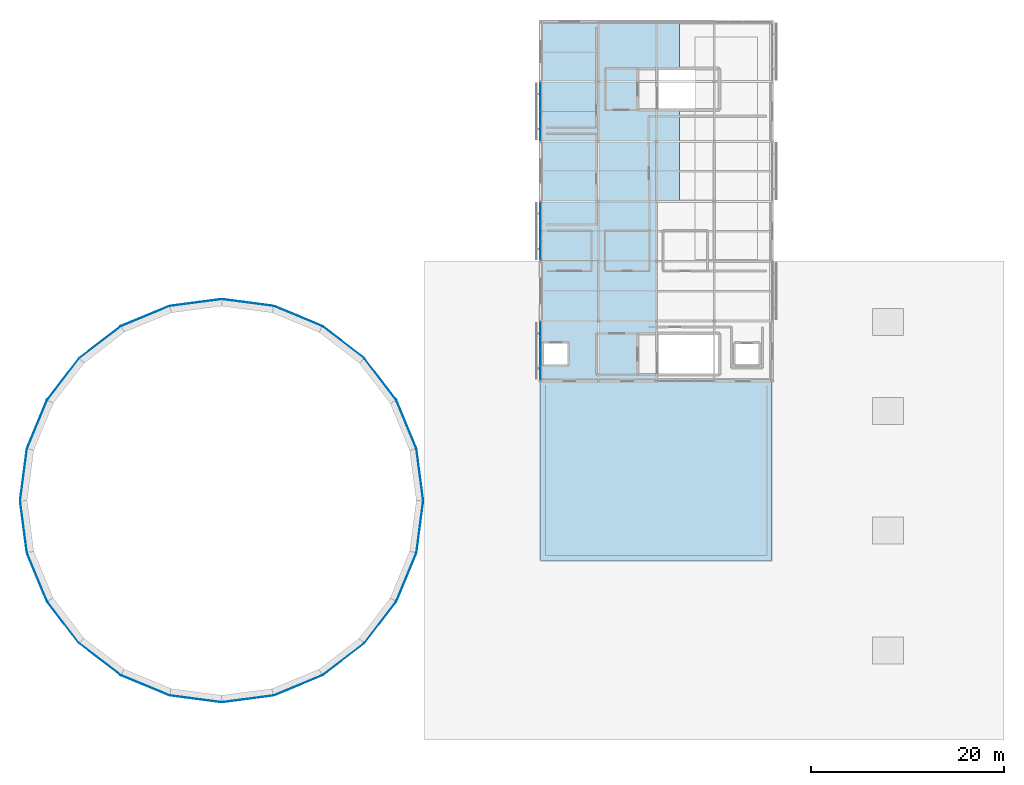
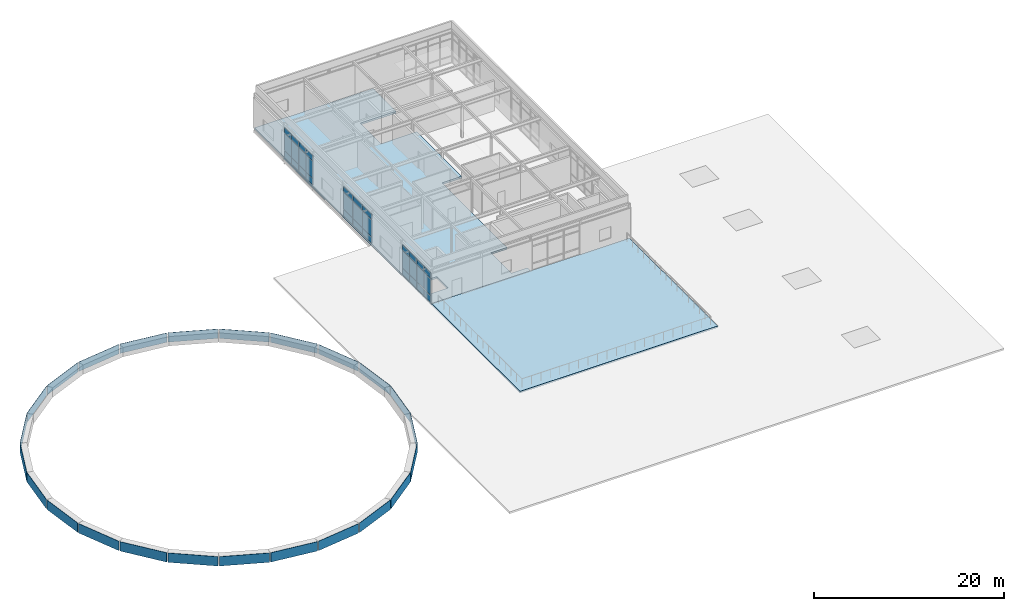
# One storey, part 11 of 16: 57 plates, 2 slabs, 3 elements without a shape of their own.
"""IFC4 building model written with IfcOpenShell, lengths in metres."""

from ifc_helpers import new_model, si_unit, direction, frame, origin, origin_2d, place, context, subcontext, project, spatial, polyline, rectangle, outline, extrude, material, layer, layer_set, type_object, element, aggregate, save


model = new_model("IFC4")

# Units and contexts
model_context = context("Model", 3, precision=1e-05, world=origin(), true_north=direction((0.0, 1.0)))
body_context = subcontext(model_context, "Body", "Model", "MODEL_VIEW")
ifc_project = project(units=[si_unit("LENGTHUNIT", "METRE"), si_unit("AREAUNIT", "SQUARE_METRE"), si_unit("VOLUMEUNIT", "CUBIC_METRE"), si_unit("PLANEANGLEUNIT", "RADIAN"), si_unit("MASSUNIT", "GRAM", prefix="KILO")], contexts=[model_context])

# Site, building, storey
site_placement = place(None, origin())
site = spatial("IfcSite", under=ifc_project, at=site_placement, CompositionType="ELEMENT")
building_placement = place(site_placement, origin())
building = spatial("IfcBuilding", under=site, at=building_placement, Name="Mirzam Square Science Centre", CompositionType="ELEMENT")
storey_placement = place(building_placement, frame((0.0, 0.0, 25.199951171875)))
storey = spatial("IfcBuildingStorey", under=building, at=storey_placement, Name="L05", CompositionType="ELEMENT", Elevation=25.199951171875)

# Curtain wall, plates
ifc_material_1 = material(Name="Anodised Aluminium and Low-E Solar Glass", Category="aluminium")
ifc_layer_1 = layer(ifc_material_1, 0.159912109375)
ifc_layer_set_1 = layer_set([ifc_layer_1], Name="CW-COURT-B")
curtain_wall_type_1 = type_object("IfcCurtainWallType", Name="CW-COURT-B", PredefinedType="USERDEFINED", material=ifc_layer_set_1)
curtain_wall_1_placement = place(storey_placement, origin())
curtain_wall_1 = element("IfcCurtainWall", 1, at=curtain_wall_1_placement, inside=storey, type_object=curtain_wall_type_1, Name="L05 unitised curtain wall 171", ObjectType="UNITISED CURTAIN WALL", PredefinedType="USERDEFINED")
ifc_material_2 = material(Name="Ceramic-Fritted Courtyard Solar Glass", Category="glass")
ifc_layer_2 = layer(ifc_material_2, 0.02392578125)
ifc_layer_set_2 = layer_set([ifc_layer_2], Name="CWP-GLZ-24")
plate_type_1 = type_object("IfcPlateType", Name="CWP-GLZ-24", PredefinedType="CURTAIN_PANEL", material=ifc_layer_set_2)
plate_1_placement = place(storey_placement, frame((114.0, 104.56884765625, 0.06005859375), z_axis=(0.0, 0.0, 1.0), x_axis=(0.0, -1.0, 0.0)))
plate_1 = element("IfcPlate", 2, at=plate_1_placement, type_object=plate_type_1, Name="CW-04 panel 1.1", PredefinedType="CURTAIN_PANEL", context=body_context, shape_type="SweptSolid", body=[
    extrude(rectangle(XDim=1.4326171875, YDim=0.02392578125, at=origin_2d()), origin(), (0.0, 0.0, 1.0), 0.81005859375),
])
plate_2_placement = place(storey_placement, frame((114.0, 104.56884765625, 0.93017578125), z_axis=(0.0, 0.0, 1.0), x_axis=(0.0, -1.0, 0.0)))
plate_2 = element("IfcPlate", 3, at=plate_2_placement, type_object=plate_type_1, Name="CW-04 panel 1.2", PredefinedType="CURTAIN_PANEL", context=body_context, shape_type="SweptSolid", body=[
    extrude(rectangle(XDim=1.4326171875, YDim=0.02392578125, at=origin_2d()), origin(), (0.0, 0.0, 1.0), 2.159912109375),
])
plate_3_placement = place(storey_placement, frame((114.0, 104.56884765625, 3.150146484375), z_axis=(0.0, 0.0, 1.0), x_axis=(0.0, -1.0, 0.0)))
plate_3 = element("IfcPlate", 4, at=plate_3_placement, type_object=plate_type_1, Name="CW-04 panel 1.3", PredefinedType="CURTAIN_PANEL", context=body_context, shape_type="SweptSolid", body=[
    extrude(rectangle(XDim=1.4326171875, YDim=0.02392578125, at=origin_2d()), origin(), (0.0, 0.0, 1.0), 0.7099609375),
])
plate_4_placement = place(storey_placement, frame((114.0, 103.061279296875, 0.06005859375), z_axis=(0.0, 0.0, 1.0), x_axis=(0.0, -1.0, 0.0)))
plate_4 = element("IfcPlate", 5, at=plate_4_placement, type_object=plate_type_1, Name="CW-04 panel 2.1", PredefinedType="CURTAIN_PANEL", context=body_context, shape_type="SweptSolid", body=[
    extrude(rectangle(XDim=1.46240234375, YDim=0.02392578125, at=origin_2d()), origin(), (0.0, 0.0, 1.0), 0.81005859375),
])
plate_5_placement = place(storey_placement, frame((114.0, 103.061279296875, 0.93017578125), z_axis=(0.0, 0.0, 1.0), x_axis=(0.0, -1.0, 0.0)))
plate_5 = element("IfcPlate", 6, at=plate_5_placement, type_object=plate_type_1, Name="CW-04 panel 2.2", PredefinedType="CURTAIN_PANEL", context=body_context, shape_type="SweptSolid", body=[
    extrude(rectangle(XDim=1.46240234375, YDim=0.02392578125, at=origin_2d()), origin(), (0.0, 0.0, 1.0), 2.159912109375),
])
plate_6_placement = place(storey_placement, frame((114.0, 103.061279296875, 3.150146484375), z_axis=(0.0, 0.0, 1.0), x_axis=(0.0, -1.0, 0.0)))
plate_6 = element("IfcPlate", 7, at=plate_6_placement, type_object=plate_type_1, Name="CW-04 panel 2.3", PredefinedType="CURTAIN_PANEL", context=body_context, shape_type="SweptSolid", body=[
    extrude(rectangle(XDim=1.46240234375, YDim=0.02392578125, at=origin_2d()), origin(), (0.0, 0.0, 1.0), 0.7099609375),
])
plate_7_placement = place(storey_placement, frame((114.0, 101.538818359375, 0.06005859375), z_axis=(0.0, 0.0, 1.0), x_axis=(0.0, -1.0, 0.0)))
plate_7 = element("IfcPlate", 8, at=plate_7_placement, type_object=plate_type_1, Name="CW-04 panel 3.1", PredefinedType="CURTAIN_PANEL", context=body_context, shape_type="SweptSolid", body=[
    extrude(rectangle(XDim=1.46240234375, YDim=0.02392578125, at=origin_2d()), origin(), (0.0, 0.0, 1.0), 0.81005859375),
])
plate_8_placement = place(storey_placement, frame((114.0, 101.538818359375, 0.93017578125), z_axis=(0.0, 0.0, 1.0), x_axis=(0.0, -1.0, 0.0)))
plate_8 = element("IfcPlate", 9, at=plate_8_placement, type_object=plate_type_1, Name="CW-04 panel 3.2", PredefinedType="CURTAIN_PANEL", context=body_context, shape_type="SweptSolid", body=[
    extrude(rectangle(XDim=1.46240234375, YDim=0.02392578125, at=origin_2d()), origin(), (0.0, 0.0, 1.0), 2.159912109375),
])
plate_9_placement = place(storey_placement, frame((114.0, 101.538818359375, 3.150146484375), z_axis=(0.0, 0.0, 1.0), x_axis=(0.0, -1.0, 0.0)))
plate_9 = element("IfcPlate", 10, at=plate_9_placement, type_object=plate_type_1, Name="CW-04 panel 3.3", PredefinedType="CURTAIN_PANEL", context=body_context, shape_type="SweptSolid", body=[
    extrude(rectangle(XDim=1.46240234375, YDim=0.02392578125, at=origin_2d()), origin(), (0.0, 0.0, 1.0), 0.7099609375),
])
plate_10_placement = place(storey_placement, frame((114.0, 100.03125, 0.06005859375), z_axis=(0.0, 0.0, 1.0), x_axis=(0.0, -1.0, 0.0)))
plate_10 = element("IfcPlate", 11, at=plate_10_placement, type_object=plate_type_1, Name="CW-04 panel 4.1", PredefinedType="CURTAIN_PANEL", context=body_context, shape_type="SweptSolid", body=[
    extrude(rectangle(XDim=1.4326171875, YDim=0.02392578125, at=origin_2d()), origin(), (0.0, 0.0, 1.0), 0.81005859375),
])
plate_11_placement = place(storey_placement, frame((114.0, 100.03125, 0.93017578125), z_axis=(0.0, 0.0, 1.0), x_axis=(0.0, -1.0, 0.0)))
plate_11 = element("IfcPlate", 12, at=plate_11_placement, type_object=plate_type_1, Name="CW-04 panel 4.2", PredefinedType="CURTAIN_PANEL", context=body_context, shape_type="SweptSolid", body=[
    extrude(rectangle(XDim=1.4326171875, YDim=0.02392578125, at=origin_2d()), origin(), (0.0, 0.0, 1.0), 2.159912109375),
])
plate_12_placement = place(storey_placement, frame((114.0, 100.03125, 3.150146484375), z_axis=(0.0, 0.0, 1.0), x_axis=(0.0, -1.0, 0.0)))
plate_12 = element("IfcPlate", 13, at=plate_12_placement, type_object=plate_type_1, Name="CW-04 panel 4.3", PredefinedType="CURTAIN_PANEL", context=body_context, shape_type="SweptSolid", body=[
    extrude(rectangle(XDim=1.4326171875, YDim=0.02392578125, at=origin_2d()), origin(), (0.0, 0.0, 1.0), 0.7099609375),
])
aggregate(curtain_wall_1, [plate_1, plate_2, plate_3, plate_4, plate_5, plate_6, plate_7, plate_8, plate_9, plate_10, plate_11, plate_12])

ifc_layer_3 = layer(ifc_material_1, 0.239990234375)
ifc_layer_set_3 = layer_set([ifc_layer_3], Name="CW-EAST-B")
curtain_wall_type_2 = type_object("IfcCurtainWallType", Name="CW-EAST-B", PredefinedType="USERDEFINED", material=ifc_layer_set_3)
curtain_wall_2_placement = place(storey_placement, origin())
curtain_wall_2 = element("IfcCurtainWall", 14, at=curtain_wall_2_placement, inside=storey, type_object=curtain_wall_type_2, Name="L05 unitised curtain wall 172", ObjectType="UNITISED CURTAIN WALL", PredefinedType="USERDEFINED")
ifc_material_3 = material(Name="Double-Silver Low-E Insulated Solar Glass", Category="glass")
ifc_layer_4 = layer(ifc_material_3, 0.028076171875)
ifc_layer_set_4 = layer_set([ifc_layer_4], Name="CWP-GLZ-28")
plate_type_2 = type_object("IfcPlateType", Name="CWP-GLZ-28", PredefinedType="CURTAIN_PANEL", material=ifc_layer_set_4)
plate_13_placement = place(storey_placement, frame((114.0, 91.9111328125, 0.074951171875), z_axis=(0.0, 0.0, 1.0), x_axis=(0.0, -1.0, 0.0)))
plate_13 = element("IfcPlate", 15, at=plate_13_placement, type_object=plate_type_2, Name="CW-06 panel 1.1", PredefinedType="CURTAIN_PANEL", context=body_context, shape_type="SweptSolid", body=[
    extrude(rectangle(XDim=1.91748046875, YDim=0.028076171875, at=origin_2d()), origin(), (0.0, 0.0, 1.0), 0.78759765625),
])
plate_14_placement = place(storey_placement, frame((114.0, 91.9111328125, 0.9375), z_axis=(0.0, 0.0, 1.0), x_axis=(0.0, -1.0, 0.0)))
plate_14 = element("IfcPlate", 16, at=plate_14_placement, type_object=plate_type_2, Name="CW-06 panel 1.2", PredefinedType="CURTAIN_PANEL", context=body_context, shape_type="SweptSolid", body=[
    extrude(rectangle(XDim=1.91748046875, YDim=0.028076171875, at=origin_2d()), origin(), (0.0, 0.0, 1.0), 2.14501953125),
])
plate_15_placement = place(storey_placement, frame((114.0, 91.9111328125, 3.157470703125), z_axis=(0.0, 0.0, 1.0), x_axis=(0.0, -1.0, 0.0)))
plate_15 = element("IfcPlate", 17, at=plate_15_placement, type_object=plate_type_2, Name="CW-06 panel 1.3", PredefinedType="CURTAIN_PANEL", context=body_context, shape_type="SweptSolid", body=[
    extrude(rectangle(XDim=1.91748046875, YDim=0.028076171875, at=origin_2d()), origin(), (0.0, 0.0, 1.0), 0.6875),
])
plate_16_placement = place(storey_placement, frame((114.0, 89.89990234375, 0.074951171875), z_axis=(0.0, 0.0, 1.0), x_axis=(0.0, -1.0, 0.0)))
plate_16 = element("IfcPlate", 18, at=plate_16_placement, type_object=plate_type_2, Name="CW-06 panel 2.1", PredefinedType="CURTAIN_PANEL", context=body_context, shape_type="SweptSolid", body=[
    extrude(rectangle(XDim=1.955078125, YDim=0.028076171875, at=origin_2d()), origin(), (0.0, 0.0, 1.0), 0.78759765625),
])
plate_17_placement = place(storey_placement, frame((114.0, 89.89990234375, 0.9375), z_axis=(0.0, 0.0, 1.0), x_axis=(0.0, -1.0, 0.0)))
plate_17 = element("IfcPlate", 19, at=plate_17_placement, type_object=plate_type_2, Name="CW-06 panel 2.2", PredefinedType="CURTAIN_PANEL", context=body_context, shape_type="SweptSolid", body=[
    extrude(rectangle(XDim=1.955078125, YDim=0.028076171875, at=origin_2d()), origin(), (0.0, 0.0, 1.0), 2.14501953125),
])
plate_18_placement = place(storey_placement, frame((114.0, 89.89990234375, 3.157470703125), z_axis=(0.0, 0.0, 1.0), x_axis=(0.0, -1.0, 0.0)))
plate_18 = element("IfcPlate", 20, at=plate_18_placement, type_object=plate_type_2, Name="CW-06 panel 2.3", PredefinedType="CURTAIN_PANEL", context=body_context, shape_type="SweptSolid", body=[
    extrude(rectangle(XDim=1.955078125, YDim=0.028076171875, at=origin_2d()), origin(), (0.0, 0.0, 1.0), 0.6875),
])
plate_19_placement = place(storey_placement, frame((114.0, 87.888671875, 0.074951171875), z_axis=(0.0, 0.0, 1.0), x_axis=(0.0, -1.0, 0.0)))
plate_19 = element("IfcPlate", 21, at=plate_19_placement, type_object=plate_type_2, Name="CW-06 panel 3.1", PredefinedType="CURTAIN_PANEL", context=body_context, shape_type="SweptSolid", body=[
    extrude(rectangle(XDim=1.91748046875, YDim=0.028076171875, at=origin_2d()), origin(), (0.0, 0.0, 1.0), 0.78759765625),
])
plate_20_placement = place(storey_placement, frame((114.0, 87.888671875, 0.9375), z_axis=(0.0, 0.0, 1.0), x_axis=(0.0, -1.0, 0.0)))
plate_20 = element("IfcPlate", 22, at=plate_20_placement, type_object=plate_type_2, Name="CW-06 panel 3.2", PredefinedType="CURTAIN_PANEL", context=body_context, shape_type="SweptSolid", body=[
    extrude(rectangle(XDim=1.91748046875, YDim=0.028076171875, at=origin_2d()), origin(), (0.0, 0.0, 1.0), 2.14501953125),
])
plate_21_placement = place(storey_placement, frame((114.0, 87.888671875, 3.157470703125), z_axis=(0.0, 0.0, 1.0), x_axis=(0.0, -1.0, 0.0)))
plate_21 = element("IfcPlate", 23, at=plate_21_placement, type_object=plate_type_2, Name="CW-06 panel 3.3", PredefinedType="CURTAIN_PANEL", context=body_context, shape_type="SweptSolid", body=[
    extrude(rectangle(XDim=1.91748046875, YDim=0.028076171875, at=origin_2d()), origin(), (0.0, 0.0, 1.0), 0.6875),
])
aggregate(curtain_wall_2, [plate_13, plate_14, plate_15, plate_16, plate_17, plate_18, plate_19, plate_20, plate_21])

ifc_layer_5 = layer(ifc_material_1, 0.179931640625)
ifc_layer_set_5 = layer_set([ifc_layer_5], Name="CW-LINK-A")
curtain_wall_type_3 = type_object("IfcCurtainWallType", Name="CW-LINK-A", PredefinedType="USERDEFINED", material=ifc_layer_set_5)
curtain_wall_3_placement = place(storey_placement, origin())
curtain_wall_3 = element("IfcCurtainWall", 24, at=curtain_wall_3_placement, inside=storey, type_object=curtain_wall_type_3, Name="L05 unitised curtain wall 173", ObjectType="UNITISED CURTAIN WALL", PredefinedType="USERDEFINED")
ifc_material_4 = material(Name="Laminated Low-Iron Observatory Solar Glass", Category="glass")
ifc_layer_6 = layer(ifc_material_4, 0.035888671875)
ifc_layer_set_6 = layer_set([ifc_layer_6], Name="CWP-GLZ-36")
plate_type_3 = type_object("IfcPlateType", Name="CWP-GLZ-36", PredefinedType="CURTAIN_PANEL", material=ifc_layer_set_6)
plate_22_placement = place(storey_placement, frame((114.0, 79.767578125, 0.06494140625), z_axis=(0.0, 0.0, 1.0), x_axis=(0.0, -1.0, 0.0)))
plate_22 = element("IfcPlate", 25, at=plate_22_placement, type_object=plate_type_3, Name="CW-08 panel 1.1", PredefinedType="CURTAIN_PANEL", context=body_context, shape_type="SweptSolid", body=[
    extrude(rectangle(XDim=1.425048828125, YDim=0.035888671875, at=origin_2d()), origin(), (0.0, 0.0, 1.0), 0.802490234375),
])
plate_23_placement = place(storey_placement, frame((114.0, 79.767578125, 0.9326171875), z_axis=(0.0, 0.0, 1.0), x_axis=(0.0, -1.0, 0.0)))
plate_23 = element("IfcPlate", 26, at=plate_23_placement, type_object=plate_type_3, Name="CW-08 panel 1.2", PredefinedType="CURTAIN_PANEL", context=body_context, shape_type="SweptSolid", body=[
    extrude(rectangle(XDim=1.425048828125, YDim=0.035888671875, at=origin_2d()), origin(), (0.0, 0.0, 1.0), 2.155029296875),
])
plate_24_placement = place(storey_placement, frame((114.0, 79.767578125, 3.15283203125), z_axis=(0.0, 0.0, 1.0), x_axis=(0.0, -1.0, 0.0)))
plate_24 = element("IfcPlate", 27, at=plate_24_placement, type_object=plate_type_3, Name="CW-08 panel 1.3", PredefinedType="CURTAIN_PANEL", context=body_context, shape_type="SweptSolid", body=[
    extrude(rectangle(XDim=1.425048828125, YDim=0.035888671875, at=origin_2d()), origin(), (0.0, 0.0, 1.0), 0.702392578125),
])
plate_25_placement = place(storey_placement, frame((114.0, 78.26123046875, 0.06494140625), z_axis=(0.0, 0.0, 1.0), x_axis=(0.0, -1.0, 0.0)))
plate_25 = element("IfcPlate", 28, at=plate_25_placement, type_object=plate_type_3, Name="CW-08 panel 2.1", PredefinedType="CURTAIN_PANEL", context=body_context, shape_type="SweptSolid", body=[
    extrude(rectangle(XDim=1.45751953125, YDim=0.035888671875, at=origin_2d()), origin(), (0.0, 0.0, 1.0), 0.802490234375),
])
plate_26_placement = place(storey_placement, frame((114.0, 78.26123046875, 0.9326171875), z_axis=(0.0, 0.0, 1.0), x_axis=(0.0, -1.0, 0.0)))
plate_26 = element("IfcPlate", 29, at=plate_26_placement, type_object=plate_type_3, Name="CW-08 panel 2.2", PredefinedType="CURTAIN_PANEL", context=body_context, shape_type="SweptSolid", body=[
    extrude(rectangle(XDim=1.45751953125, YDim=0.035888671875, at=origin_2d()), origin(), (0.0, 0.0, 1.0), 2.155029296875),
])
plate_27_placement = place(storey_placement, frame((114.0, 78.26123046875, 3.15283203125), z_axis=(0.0, 0.0, 1.0), x_axis=(0.0, -1.0, 0.0)))
plate_27 = element("IfcPlate", 30, at=plate_27_placement, type_object=plate_type_3, Name="CW-08 panel 2.3", PredefinedType="CURTAIN_PANEL", context=body_context, shape_type="SweptSolid", body=[
    extrude(rectangle(XDim=1.45751953125, YDim=0.035888671875, at=origin_2d()), origin(), (0.0, 0.0, 1.0), 0.702392578125),
])
plate_28_placement = place(storey_placement, frame((114.0, 76.73876953125, 0.06494140625), z_axis=(0.0, 0.0, 1.0), x_axis=(0.0, -1.0, 0.0)))
plate_28 = element("IfcPlate", 31, at=plate_28_placement, type_object=plate_type_3, Name="CW-08 panel 3.1", PredefinedType="CURTAIN_PANEL", context=body_context, shape_type="SweptSolid", body=[
    extrude(rectangle(XDim=1.45751953125, YDim=0.035888671875, at=origin_2d()), origin(), (0.0, 0.0, 1.0), 0.802490234375),
])
plate_29_placement = place(storey_placement, frame((114.0, 76.73876953125, 0.9326171875), z_axis=(0.0, 0.0, 1.0), x_axis=(0.0, -1.0, 0.0)))
plate_29 = element("IfcPlate", 32, at=plate_29_placement, type_object=plate_type_3, Name="CW-08 panel 3.2", PredefinedType="CURTAIN_PANEL", context=body_context, shape_type="SweptSolid", body=[
    extrude(rectangle(XDim=1.45751953125, YDim=0.035888671875, at=origin_2d()), origin(), (0.0, 0.0, 1.0), 2.155029296875),
])
plate_30_placement = place(storey_placement, frame((114.0, 76.73876953125, 3.15283203125), z_axis=(0.0, 0.0, 1.0), x_axis=(0.0, -1.0, 0.0)))
plate_30 = element("IfcPlate", 33, at=plate_30_placement, type_object=plate_type_3, Name="CW-08 panel 3.3", PredefinedType="CURTAIN_PANEL", context=body_context, shape_type="SweptSolid", body=[
    extrude(rectangle(XDim=1.45751953125, YDim=0.035888671875, at=origin_2d()), origin(), (0.0, 0.0, 1.0), 0.702392578125),
])
plate_31_placement = place(storey_placement, frame((114.0, 75.232421875, 0.06494140625), z_axis=(0.0, 0.0, 1.0), x_axis=(0.0, -1.0, 0.0)))
plate_31 = element("IfcPlate", 34, at=plate_31_placement, type_object=plate_type_3, Name="CW-08 panel 4.1", PredefinedType="CURTAIN_PANEL", context=body_context, shape_type="SweptSolid", body=[
    extrude(rectangle(XDim=1.425048828125, YDim=0.035888671875, at=origin_2d()), origin(), (0.0, 0.0, 1.0), 0.802490234375),
])
plate_32_placement = place(storey_placement, frame((114.0, 75.232421875, 0.9326171875), z_axis=(0.0, 0.0, 1.0), x_axis=(0.0, -1.0, 0.0)))
plate_32 = element("IfcPlate", 35, at=plate_32_placement, type_object=plate_type_3, Name="CW-08 panel 4.2", PredefinedType="CURTAIN_PANEL", context=body_context, shape_type="SweptSolid", body=[
    extrude(rectangle(XDim=1.425048828125, YDim=0.035888671875, at=origin_2d()), origin(), (0.0, 0.0, 1.0), 2.155029296875),
])
plate_33_placement = place(storey_placement, frame((114.0, 75.232421875, 3.15283203125), z_axis=(0.0, 0.0, 1.0), x_axis=(0.0, -1.0, 0.0)))
plate_33 = element("IfcPlate", 36, at=plate_33_placement, type_object=plate_type_3, Name="CW-08 panel 4.3", PredefinedType="CURTAIN_PANEL", context=body_context, shape_type="SweptSolid", body=[
    extrude(rectangle(XDim=1.425048828125, YDim=0.035888671875, at=origin_2d()), origin(), (0.0, 0.0, 1.0), 0.702392578125),
])
aggregate(curtain_wall_3, [plate_22, plate_23, plate_24, plate_25, plate_26, plate_27, plate_28, plate_29, plate_30, plate_31, plate_32, plate_33])

# Plates
ifc_material_5 = material(Name="Gold-Anodised Architectural Bronze", Category="aluminium")
ifc_layer_7 = layer(ifc_material_5, 0.0400390625)
ifc_layer_set_7 = layer_set([ifc_layer_7], Name="PL-GOLD-RING")
plate_type_4 = type_object("IfcPlateType", Name="PL-GOLD-RING", PredefinedType="SHEET", material=ifc_layer_set_7)
for number, where, z_axis, x_axis, name in (
    (37, (101.517578125, 64.701171875, 0.0), (0.0, 0.0, 1.0), (-0.13052619222, 0.991444861374, 0.0), "Planetarium gold ring band 01"),
    (38, (100.119384765625, 69.91943359375, 0.0), (0.0, 0.0, 1.0), (-0.382683432365, 0.923879532511, 0.0), "Planetarium gold ring band 02"),
    (39, (97.418212890625, 74.59814453125, 0.0), (0.0, 0.0, 1.0), (-0.608761429009, 0.793353340291, 0.0), "Planetarium gold ring band 03"),
    (40, (93.59814453125, 78.418212890625, 0.0), (0.0, 0.0, 1.0), (-0.793353340291, 0.608761429009, 0.0), "Planetarium gold ring band 04"),
    (41, (88.91943359375, 81.119384765625, 0.0), (0.0, 0.0, 1.0), (-0.923879532511, 0.382683432365, 0.0), "Planetarium gold ring band 05"),
    (42, (83.701171875, 82.517578125, 0.0), (0.0, 0.0, 1.0), (-0.991444861374, 0.13052619222, 0.0), "Planetarium gold ring band 06"),
    (43, (78.298828125, 82.517578125, 0.0), (0.0, 0.0, 1.0), (-0.991444861374, -0.13052619222, 0.0), "Planetarium gold ring band 07"),
    (44, (73.08056640625, 81.119384765625, 0.0), (0.0, 0.0, 1.0), (-0.923879532511, -0.382683432365, 0.0), "Planetarium gold ring band 08"),
    (45, (68.40185546875, 78.418212890625, 0.0), (0.0, 0.0, 1.0), (-0.793353340291, -0.608761429009, 0.0), "Planetarium gold ring band 09"),
    (46, (64.581787109375, 74.59814453125, 0.0), (0.0, 0.0, 1.0), (-0.608761429009, -0.793353340291, 0.0), "Planetarium gold ring band 10"),
    (47, (61.880615234375, 69.91943359375, 0.0), (0.0, 0.0, 1.0), (-0.382683432365, -0.923879532511, 0.0), "Planetarium gold ring band 11"),
    (48, (60.482421875, 64.701171875, 0.0), (0.0, 0.0, 1.0), (-0.13052619222, -0.991444861374, 0.0), "Planetarium gold ring band 12"),
    (49, (60.482421875, 59.298828125, 0.0), (0.0, 0.0, 1.0), (0.13052619222, -0.991444861374, 0.0), "Planetarium gold ring band 13"),
    (50, (61.880615234375, 54.08056640625, 0.0), (0.0, 0.0, 1.0), (0.382683432365, -0.923879532511, 0.0), "Planetarium gold ring band 14"),
    (51, (64.581787109375, 49.40185546875, 0.0), (0.0, 0.0, 1.0), (0.608761429009, -0.793353340291, 0.0), "Planetarium gold ring band 15"),
    (52, (68.40185546875, 45.581787109375, 0.0), (0.0, 0.0, 1.0), (0.793353340291, -0.608761429009, 0.0), "Planetarium gold ring band 16"),
    (53, (73.08056640625, 42.880615234375, 0.0), (0.0, 0.0, 1.0), (0.923879532511, -0.382683432365, 0.0), "Planetarium gold ring band 17"),
    (54, (78.298828125, 41.482421875, 0.0), (0.0, 0.0, 1.0), (0.991444861374, -0.13052619222, 0.0), "Planetarium gold ring band 18"),
    (55, (83.701171875, 41.482421875, 0.0), (0.0, 0.0, 1.0), (0.991444861374, 0.13052619222, 0.0), "Planetarium gold ring band 19"),
    (56, (88.91943359375, 42.880615234375, 0.0), (0.0, 0.0, 1.0), (0.923879532511, 0.382683432365, 0.0), "Planetarium gold ring band 20"),
    (57, (93.59814453125, 45.581787109375, 0.0), (0.0, 0.0, 1.0), (0.793353340291, 0.608761429009, 0.0), "Planetarium gold ring band 21"),
    (58, (97.418212890625, 49.40185546875, 0.0), (0.0, 0.0, 1.0), (0.608761429009, 0.793353340291, 0.0), "Planetarium gold ring band 22"),
    (59, (100.119384765625, 54.08056640625, 0.0), (0.0, 0.0, 1.0), (0.382683432365, 0.923879532511, 0.0), "Planetarium gold ring band 23"),
    (60, (101.517578125, 59.298828125, 0.0), (0.0, 0.0, 1.0), (0.13052619222, 0.991444861374, 0.0), "Planetarium gold ring band 24"),
):
    element("IfcPlate", number, at=place(storey_placement, frame(where, z_axis=z_axis, x_axis=x_axis)), inside=storey, type_object=plate_type_4, Name=name, PredefinedType="SHEET", context=body_context, shape_type="SweptSolid", body=[
        extrude(rectangle(XDim=5.3115234375, YDim=0.0400390625, at=origin_2d()), origin(), (0.0, 0.0, 1.0), 1.199951171875),
    ])

# Slabs
ifc_material_6 = material(Name="Concrete C40/50", Category="concrete")
ifc_layer_8 = layer(ifc_material_6, 0.239990234375)
ifc_layer_set_8 = layer_set([ifc_layer_8], Name="SL-OBS-240")
slab_type_1 = type_object("IfcSlabType", Name="SL-OBS-240", PredefinedType="FLOOR", material=ifc_layer_set_8)
slab_1_placement = place(storey_placement, frame((0.0, 0.0, -0.239990234375)))
element("IfcSlab", 61, at=slab_1_placement, inside=storey, type_object=slab_type_1, Name="L05 east 1 slab", PredefinedType="FLOOR", context=body_context, shape_type="SweptSolid", body=[
    extrude(outline(polyline([(126.0, 74.39990234375), (114.0, 74.39990234375), (114.0, 111.60009765625), (128.39990234375, 111.60009765625), (128.39990234375, 106.77001953125), (124.0400390625, 106.77001953125), (124.0400390625, 102.43994140625), (128.39990234375, 102.43994140625), (128.39990234375, 93.0), (126.0, 93.0), (126.0, 79.330078125), (124.0400390625, 79.330078125), (124.0400390625, 75.0400390625), (126.0, 75.0400390625), (126.0, 74.39990234375)]), holes=[polyline([(114.25, 78.39990234375), (114.25, 76.0), (116.949951171875, 76.0), (116.949951171875, 78.39990234375), (114.25, 78.39990234375)])]), origin(), (0.0, 0.0, 1.0), 0.239990234375),
])
ifc_layer_9 = layer(ifc_material_6, 0.219970703125)
ifc_layer_set_9 = layer_set([ifc_layer_9], Name="SL-TERR-220")
slab_type_2 = type_object("IfcSlabType", Name="SL-TERR-220", PredefinedType="FLOOR", material=ifc_layer_set_9)
slab_2_placement = place(storey_placement, frame((0.0, 0.0, -0.219970703125)))
element("IfcSlab", 62, at=slab_2_placement, inside=storey, type_object=slab_type_2, Name="L05 observatory terrace slab", PredefinedType="FLOOR", context=body_context, shape_type="SweptSolid", body=[
    extrude(outline(polyline([(138.0, 55.800048828125), (114.0, 55.800048828125), (114.0, 74.39501953125), (138.0, 74.39501953125), (138.0, 55.800048828125)])), origin(), (0.0, 0.0, 1.0), 0.219970703125),
])

save(model, "model.ifc")
